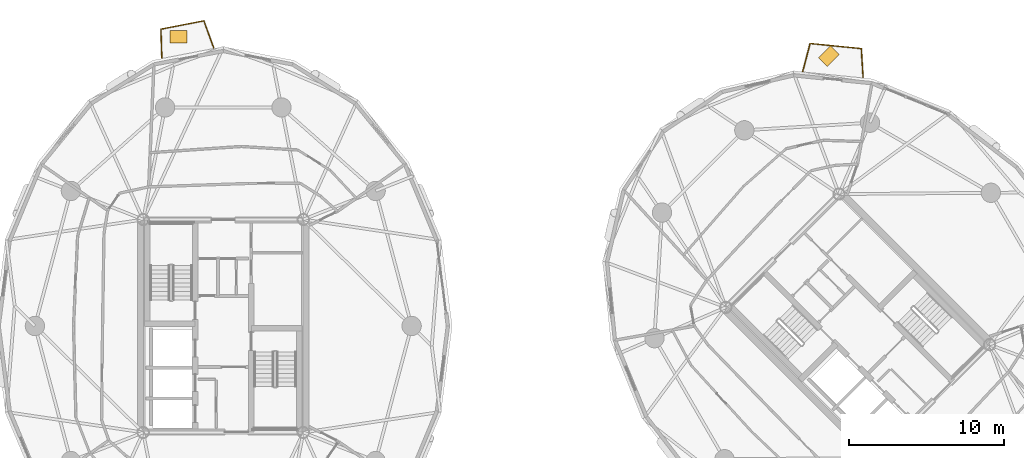
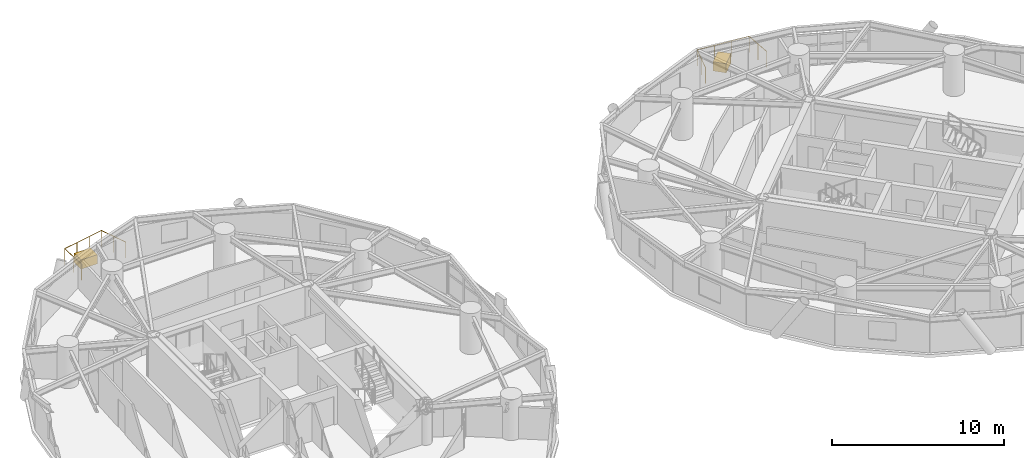
# One storey, part 17 of 17: 2 coverings, 2 railings.
"""IFC4 building model written with IfcOpenShell, lengths in metres."""

from ifc_helpers import new_model, si_unit, direction, frame, origin, origin_2d, place, context, subcontext, project, spatial, rectangle, circle, extrude, source, transform, mapped, material, layer, layer_set, type_object, element, save


model = new_model("IFC4")

# Units and contexts
model_context = context("Model", 3, precision=1e-05, world=origin(), true_north=direction((0.0, 1.0)))
body_context = subcontext(model_context, "Body", "Model", "MODEL_VIEW")
ifc_project = project(units=[si_unit("LENGTHUNIT", "METRE"), si_unit("AREAUNIT", "SQUARE_METRE"), si_unit("VOLUMEUNIT", "CUBIC_METRE"), si_unit("PLANEANGLEUNIT", "RADIAN"), si_unit("MASSUNIT", "GRAM", prefix="KILO")], contexts=[model_context])

# Site, building, storey
site_placement = place(None, origin())
site = spatial("IfcSite", under=ifc_project, at=site_placement, CompositionType="ELEMENT")
building_placement = place(site_placement, origin())
building = spatial("IfcBuilding", under=site, at=building_placement, Name="Cununo Teusaquillo Station Towers", CompositionType="ELEMENT")
storey_placement = place(building_placement, frame((0.0, 0.0, 163.239990234375)))
storey = spatial("IfcBuildingStorey", under=building, at=storey_placement, Name="L51", CompositionType="ELEMENT", Elevation=163.239990234375)

# Railings
ifc_material_1 = material(Name="Anodised dark bronze aluminium EN AW-6063-T6", Category="aluminium")
railing_type = type_object("IfcRailingType", Name="RL-EXT-GUARD", PredefinedType="GUARDRAIL", material=ifc_material_1)
railing_1_placement = place(storey_placement, frame((12.529296875, 41.826416015625, 0.0)))
element("IfcRailing", 1, at=railing_1_placement, inside=storey, type_object=railing_type, Name="L51 Tower A Balcony Guardrail C05", PredefinedType="GUARDRAIL", context=body_context, shape_type="SweptSolid", body=[
    extrude(circle(Radius=0.02392578125, at=origin_2d()), frame((0.0, 0.0, 1.1259765625), z_axis=(-0.030492060761, 0.999535009007, 0.0), x_axis=(-0.999535009007, -0.030492060761, 0.0)), (0.0, 0.0, 1.0), 1.857666015625),
    extrude(circle(Radius=0.02392578125, at=origin_2d()), frame((-0.056640625, 1.856689453125, 1.1259765625), z_axis=(0.981837596309, 0.18972331031, 0.0), x_axis=(-0.18972331031, 0.981837596309, 0.0)), (0.0, 0.0, 1.0), 2.822021484375),
    extrude(circle(Radius=0.02392578125, at=origin_2d()), frame((2.714111328125, 2.39208984375, 1.1259765625), z_axis=(0.344127190422, -0.938923040942, 0.0), x_axis=(0.938923040942, 0.344127190422, 0.0)), (0.0, 0.0, 1.0), 1.857421875),
    extrude(circle(Radius=0.02099609375, at=origin_2d()), origin(), (0.0, 0.0, 1.0), 1.101806640625),
    extrude(circle(Radius=0.02099609375, at=origin_2d()), frame((-0.0283203125, 0.92822265625, 0.0)), (0.0, 0.0, 1.0), 1.101806640625),
    extrude(circle(Radius=0.02099609375, at=origin_2d()), frame((-0.056640625, 1.856689453125, 0.0)), (0.0, 0.0, 1.0), 1.101806640625),
    extrude(circle(Radius=0.02099609375, at=origin_2d()), frame((0.866943359375, 2.03515625, 0.0)), (0.0, 0.0, 1.0), 1.101806640625),
    extrude(circle(Radius=0.02099609375, at=origin_2d()), frame((1.79052734375, 2.213623046875, 0.0)), (0.0, 0.0, 1.0), 1.101806640625),
    extrude(circle(Radius=0.02099609375, at=origin_2d()), frame((2.714111328125, 2.39208984375, 0.0)), (0.0, 0.0, 1.0), 1.101806640625),
    extrude(circle(Radius=0.02099609375, at=origin_2d()), frame((3.03369140625, 1.52001953125, 0.0)), (0.0, 0.0, 1.0), 1.101806640625),
    extrude(circle(Radius=0.02099609375, at=origin_2d()), frame((3.353271484375, 0.648193359375, 0.0)), (0.0, 0.0, 1.0), 1.101806640625),
])
railing_2_placement = place(storey_placement, frame((53.94677734375, 40.952392578125, 0.0)))
element("IfcRailing", 2, at=railing_2_placement, inside=storey, type_object=railing_type, Name="L51 Tower B Balcony Guardrail C02", PredefinedType="GUARDRAIL", context=body_context, shape_type="SweptSolid", body=[
    extrude(circle(Radius=0.02392578125, at=origin_2d()), frame((0.0, 0.0, 1.1259765625), z_axis=(0.256025604412, 0.96667000051, 0.0), x_axis=(-0.96667000051, 0.256025604412, 0.0)), (0.0, 0.0, 1.0), 1.8662109375),
    extrude(circle(Radius=0.02392578125, at=origin_2d()), frame((0.477783203125, 1.803955078125, 1.1259765625), z_axis=(0.995128414942, -0.098587208981, 0.0), x_axis=(0.098587208981, 0.995128414942, 0.0)), (0.0, 0.0, 1.0), 3.3232421875),
    extrude(circle(Radius=0.02392578125, at=origin_2d()), frame((3.784912109375, 1.476318359375, 1.1259765625), z_axis=(0.061352095824, -0.998116185791, 0.0), x_axis=(0.998116185791, 0.061352095824, 0.0)), (0.0, 0.0, 1.0), 1.8662109375),
    extrude(circle(Radius=0.02099609375, at=origin_2d()), origin(), (0.0, 0.0, 1.0), 1.101806640625),
    extrude(circle(Radius=0.02099609375, at=origin_2d()), frame((0.23876953125, 0.90185546875, 0.0)), (0.0, 0.0, 1.0), 1.101806640625),
    extrude(circle(Radius=0.02099609375, at=origin_2d()), frame((0.477783203125, 1.803955078125, 0.0)), (0.0, 0.0, 1.0), 1.101806640625),
    extrude(circle(Radius=0.02099609375, at=origin_2d()), frame((1.580078125, 1.69482421875, 0.0)), (0.0, 0.0, 1.0), 1.101806640625),
    extrude(circle(Radius=0.02099609375, at=origin_2d()), frame((2.6826171875, 1.58544921875, 0.0)), (0.0, 0.0, 1.0), 1.101806640625),
    extrude(circle(Radius=0.02099609375, at=origin_2d()), frame((3.784912109375, 1.476318359375, 0.0)), (0.0, 0.0, 1.0), 1.101806640625),
    extrude(circle(Radius=0.02099609375, at=origin_2d()), frame((3.84228515625, 0.544921875, 0.0)), (0.0, 0.0, 1.0), 1.101806640625),
    extrude(circle(Radius=0.02099609375, at=origin_2d()), frame((3.8994140625, -0.386474609375, 0.0)), (0.0, 0.0, 1.0), 1.101806640625),
])

# Coverings
ifc_material_2 = material(Name="Architectural GRC planter shell and engineered root-zone substrate", Category="concrete")
ifc_layer = layer(ifc_material_2, 0.64990234375)
ifc_layer_set = layer_set([ifc_layer], Name="Architectural GRC planter shell and engineered root-zone substrate")
covering_type = type_object("IfcCoveringType", Name="COV-TREE-PLANTER", PredefinedType="CLADDING", material=ifc_layer_set)
shared_shape = source(origin(), body_context, "Body", "SweptSolid", [
    extrude(rectangle(XDim=1.10009765625, YDim=0.800048828125, at=origin_2d()), origin(), (0.0, 0.0, 1.0), 0.64990234375),
])
for number, where, z_axis, x_axis, name in (
    (3, (13.61083984375, 43.2001953125, 0.0), (0.0, 0.0, 1.0), (1.0, 0.0, 0.0), "L51 Tower A Balcony Tree PLANTER C05"),
    (4, (55.62646484375, 41.939208984375, 0.0), (0.0, 0.0, 1.0), (0.707106781187, 0.707106781187, 0.0), "L51 Tower B Balcony Tree PLANTER C02"),
):
    element("IfcCovering", number, at=place(storey_placement, frame(where, z_axis=z_axis, x_axis=x_axis)), inside=storey, type_object=covering_type, Name=name, PredefinedType="CLADDING", context=body_context, shape_type="MappedRepresentation", body=[
        mapped(shared_shape, transform((0.0, 0.0, 0.0), x_axis=(1.0, 0.0, 0.0), y_axis=(0.0, 1.0, 0.0), z_axis=(0.0, 0.0, 1.0), scale=1.0)),
    ])

save(model, "model.ifc")
